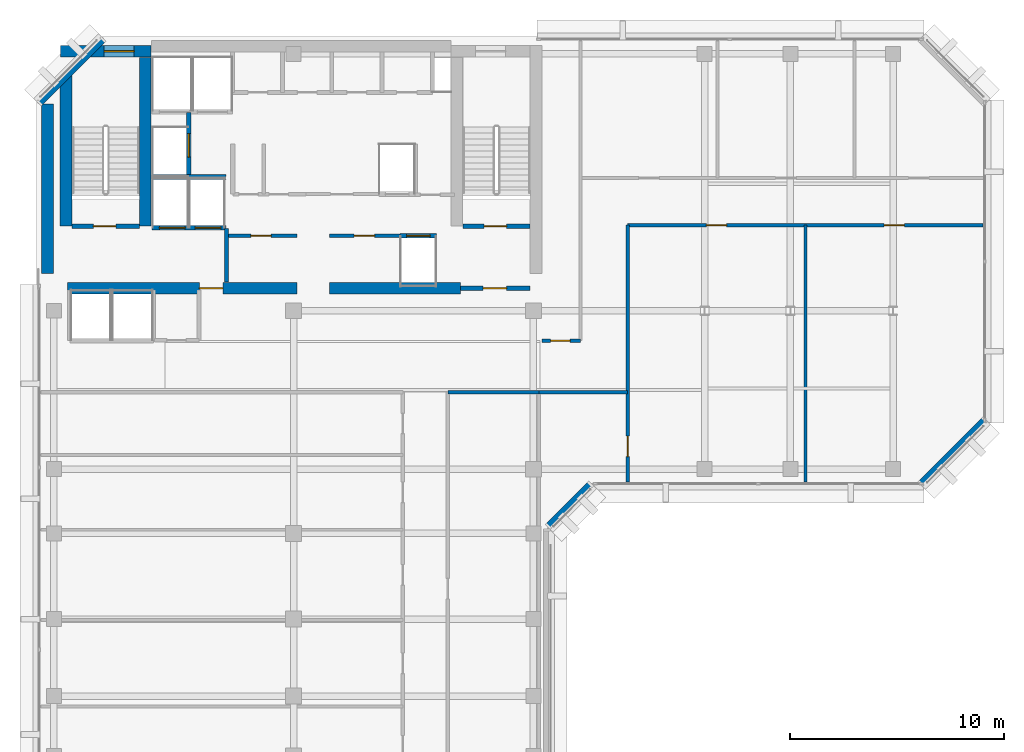
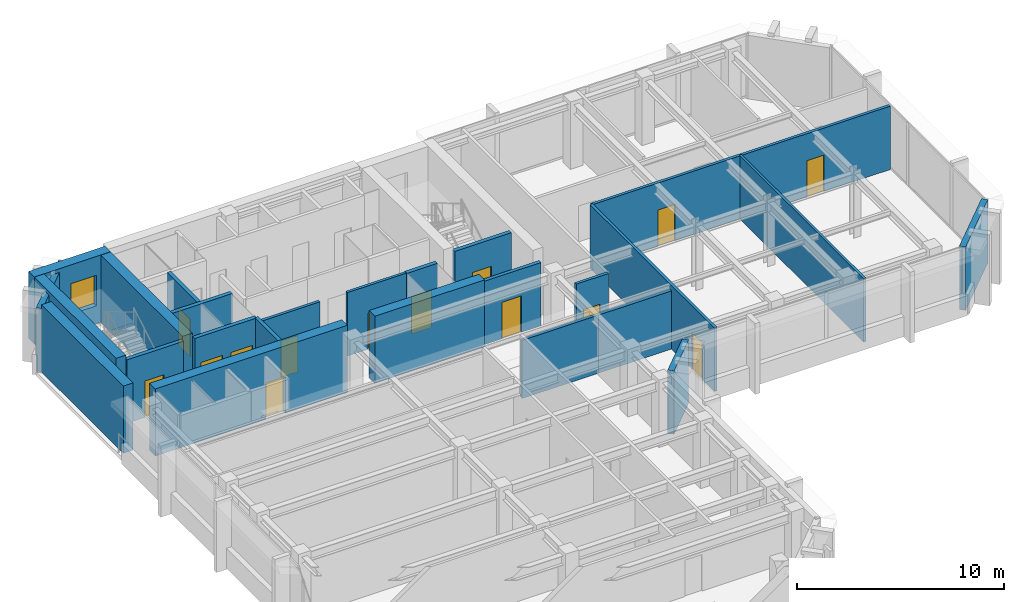
# One storey, part 7 of 13: 25 walls, 14 doors, 1 window, 15 openings.
"""IFC4 building model written with IfcOpenShell, lengths in metres."""

from ifc_helpers import new_model, si_unit, direction, frame, frame_2d, origin, place, context, subcontext, project, spatial, rectangle, extrude, material, layer, layer_set, type_object, element, fill, save


model = new_model("IFC4")

# Units and contexts
model_context = context("Model", 3, precision=1e-05, world=origin(), true_north=direction((0.0, 1.0)))
body_context = subcontext(model_context, "Body", "Model", "MODEL_VIEW")
ifc_project = project(units=[si_unit("LENGTHUNIT", "METRE"), si_unit("AREAUNIT", "SQUARE_METRE"), si_unit("VOLUMEUNIT", "CUBIC_METRE"), si_unit("PLANEANGLEUNIT", "RADIAN"), si_unit("MASSUNIT", "GRAM", prefix="KILO")], contexts=[model_context])

# Site, building, storey
site_placement = place(None, origin())
site = spatial("IfcSite", under=ifc_project, at=site_placement, CompositionType="ELEMENT")
building_placement = place(site_placement, origin())
building = spatial("IfcBuilding", under=site, at=building_placement, Name="Kefirva Bronze Tower", CompositionType="ELEMENT")
storey_placement = place(building_placement, frame((0.0, 0.0, 311.85009765625)))
storey = spatial("IfcBuildingStorey", under=building, at=storey_placement, Name="L76", CompositionType="ELEMENT", Elevation=311.85009765625)

# Wall
ifc_material_1 = material(Name="Gypsum acoustic partition")
ifc_layer_1 = layer(ifc_material_1, 0.1298828125, Name="Gypsum acoustic partition")
ifc_layer_set_1 = layer_set([ifc_layer_1], Name="Gypsum acoustic partition")
wall_type_1 = type_object("IfcWallType", Name="Acoustic Office Partition 130mm", PredefinedType="PARTITIONING", material=ifc_layer_set_1)
wall_1_placement = place(storey_placement, frame((35.905029296875, 25.18994140625, 0.0), z_axis=(0.0, 0.0, 1.0), x_axis=(0.0, 1.0, 0.0)))
element("IfcWall", 1, at=wall_1_placement, inside=storey, type_object=wall_type_1, Name="L76 Partition W-L76-ESD1", PredefinedType="PARTITIONING", context=body_context, shape_type="SweptSolid", body=[
    extrude(rectangle(XDim=12.010009765625, YDim=0.1298828125, at=frame_2d((6.0048828125, 0.0))), origin(), (0.0, 0.0, 1.0), 3.739990234375),
])

# Wall, opening, door
ifc_layer_2 = layer(ifc_material_1, 0.14990234375, Name="Gypsum acoustic partition")
ifc_layer_set_2 = layer_set([ifc_layer_2], Name="Gypsum acoustic partition")
wall_type_2 = type_object("IfcWallType", Name="Executive Suite Partition 150mm", PredefinedType="PARTITIONING", material=ifc_layer_set_2)
wall_2_placement = place(storey_placement, frame((13.679931640625, 36.699951171875, 0.0), z_axis=(0.0, 0.0, 1.0), x_axis=(1.0, 0.0, 0.0)))
wall_2 = element("IfcWall", 2, at=wall_2_placement, inside=storey, type_object=wall_type_2, Name="L76 Partition W-L76-RECMP1", PredefinedType="PARTITIONING", context=body_context, shape_type="SweptSolid", body=[
    extrude(rectangle(XDim=3.280029296875, YDim=0.14990234375, at=frame_2d((1.64013671875, 0.0))), origin(), (0.0, 0.0, 1.0), 3.739990234375),
])
opening_1_placement = place(wall_2_placement, frame((1.14990234375, 0.0, 0.0)))
opening_1 = element("IfcOpeningElement", 3, at=opening_1_placement, cuts=wall_2, Name="Opening L76-D-RECMP1", PredefinedType="OPENING", context=body_context, shape_type="SweptSolid", body=[
    extrude(rectangle(XDim=0.949951171875, YDim=2.14990234375, at=frame_2d((0.47509765625, 1.074951171875))), frame((0.0, 0.0849609375, 0.0), z_axis=(0.0, -1.0, 0.0), x_axis=(1.0, 0.0, 0.0)), (0.0, 0.0, 1.0), 0.169921875),
])
ifc_material_2 = material(Name="Acoustic hardwood oak", Category="wood")
door_type_1 = type_object("IfcDoorType", Name="Office & Meeting Room Door 950x2150", OperationType="NOTDEFINED", PredefinedType="DOOR", material=ifc_material_2)
door_1_placement = place(opening_1_placement, origin())
door_1 = element("IfcDoor", 4, at=door_1_placement, inside=storey, type_object=door_type_1, Name="Door L76-D-RECMP1", OperationType="SINGLE_SWING_LEFT", OverallHeight=2.14990234375, OverallWidth=0.949951171875, PredefinedType="DOOR", context=body_context, shape_type="SweptSolid", body=[
    extrude(rectangle(XDim=0.949951171875, YDim=2.14990234375, at=frame_2d((0.47509765625, 1.074951171875))), frame((0.0, 0.02490234375, 0.0), z_axis=(0.0, -1.0, 0.0), x_axis=(1.0, 0.0, 0.0)), (0.0, 0.0, 1.0), 0.050048828125),
])
fill(opening_1, door_1)

ifc_material_3 = material(Name="Gypsum fireboard shaftwall")
ifc_layer_3 = layer(ifc_material_3, 0.219970703125, Name="Gypsum fireboard shaftwall")
ifc_layer_set_3 = layer_set([ifc_layer_3], Name="Gypsum fireboard shaftwall")
wall_type_3 = type_object("IfcWallType", Name="Fire-Rated Shaft Enclosure Wall 220mm", PredefinedType="PARTITIONING", material=ifc_layer_set_3)
wall_3_placement = place(storey_placement, frame((1.64990234375, 37.14990234375, 0.0), z_axis=(0.0, 0.0, 1.0), x_axis=(1.0, 0.0, 0.0)))
wall_3 = element("IfcWall", 5, at=wall_3_placement, inside=storey, type_object=wall_type_3, Name="L76 Partition W-L76-ST1S", PredefinedType="PARTITIONING", context=body_context, shape_type="SweptSolid", body=[
    extrude(rectangle(XDim=3.150146484375, YDim=0.219970703125, at=frame_2d((1.5751953125, 0.0))), origin(), (0.0, 0.0, 1.0), 3.739990234375),
])
opening_2_placement = place(wall_3_placement, frame((2.050048828125, 0.0, 0.0), z_axis=(0.0, 0.0, 1.0), x_axis=(-1.0, 0.0, 0.0)))
opening_2 = element("IfcOpeningElement", 6, at=opening_2_placement, cuts=wall_3, Name="Opening L76-D001", PredefinedType="OPENING", context=body_context, shape_type="SweptSolid", body=[
    extrude(rectangle(XDim=1.050048828125, YDim=2.14990234375, at=frame_2d((0.52490234375, 1.074951171875))), frame((0.0, 0.1201171875, 0.0), z_axis=(0.0, -1.0, 0.0), x_axis=(1.0, 0.0, 0.0)), (0.0, 0.0, 1.0), 0.239990234375),
])
ifc_material_4 = material(Name="Painted galvanized steel", Category="steel")
door_type_2 = type_object("IfcDoorType", Name="Fire Stair Enclosure Door 1050x2150 FD90S", OperationType="NOTDEFINED", PredefinedType="DOOR", material=ifc_material_4)
door_2_placement = place(opening_2_placement, origin())
door_2 = element("IfcDoor", 7, at=door_2_placement, inside=storey, type_object=door_type_2, Name="Door L76-D001", OperationType="SINGLE_SWING_RIGHT", OverallHeight=2.14990234375, OverallWidth=1.050048828125, PredefinedType="DOOR", context=body_context, shape_type="SweptSolid", body=[
    extrude(rectangle(XDim=1.050048828125, YDim=2.14990234375, at=frame_2d((0.52490234375, 1.074951171875))), frame((0.0, 0.02490234375, 0.0), z_axis=(0.0, -1.0, 0.0), x_axis=(1.0, 0.0, 0.0)), (0.0, 0.0, 1.0), 0.050048828125),
])
fill(opening_2, door_2)

wall_4_placement = place(storey_placement, frame((19.89990234375, 37.14990234375, 0.0), z_axis=(0.0, 0.0, 1.0), x_axis=(1.0, 0.0, 0.0)))
wall_4 = element("IfcWall", 8, at=wall_4_placement, inside=storey, type_object=wall_type_3, Name="L76 Partition W-L76-ST2S", PredefinedType="PARTITIONING", context=body_context, shape_type="SweptSolid", body=[
    extrude(rectangle(XDim=3.150146484375, YDim=0.219970703125, at=frame_2d((1.5751953125, 0.0))), origin(), (0.0, 0.0, 1.0), 3.739990234375),
])
opening_3_placement = place(wall_4_placement, frame((2.050048828125, 0.0, 0.0), z_axis=(0.0, 0.0, 1.0), x_axis=(-1.0, 0.0, 0.0)))
opening_3 = element("IfcOpeningElement", 9, at=opening_3_placement, cuts=wall_4, Name="Opening L76-D003", PredefinedType="OPENING", context=body_context, shape_type="SweptSolid", body=[
    extrude(rectangle(XDim=1.050048828125, YDim=2.14990234375, at=frame_2d((0.52490234375, 1.074951171875))), frame((0.0, 0.1201171875, 0.0), z_axis=(0.0, -1.0, 0.0), x_axis=(1.0, 0.0, 0.0)), (0.0, 0.0, 1.0), 0.239990234375),
])
door_3_placement = place(opening_3_placement, origin())
door_3 = element("IfcDoor", 10, at=door_3_placement, inside=storey, type_object=door_type_2, Name="Door L76-D003", OperationType="SINGLE_SWING_RIGHT", OverallHeight=2.14990234375, OverallWidth=1.050048828125, PredefinedType="DOOR", context=body_context, shape_type="SweptSolid", body=[
    extrude(rectangle(XDim=1.050048828125, YDim=2.14990234375, at=frame_2d((0.52490234375, 1.074951171875))), frame((0.0, 0.02490234375, 0.0), z_axis=(0.0, -1.0, 0.0), x_axis=(1.0, 0.0, 0.0)), (0.0, 0.0, 1.0), 0.050048828125),
])
fill(opening_3, door_3)

# Wall, openings, doors
wall_5_placement = place(storey_placement, frame((5.3798828125, 37.080078125, 0.0), z_axis=(0.0, 0.0, 1.0), x_axis=(1.0, 0.0, 0.0)))
wall_5 = element("IfcWall", 11, at=wall_5_placement, inside=storey, type_object=wall_type_3, Name="L76 Partition W-L76-FFS", PredefinedType="PARTITIONING", context=body_context, shape_type="SweptSolid", body=[
    extrude(rectangle(XDim=3.460205078125, YDim=0.219970703125, at=frame_2d((1.72998046875, 0.0))), origin(), (0.0, 0.0, 1.0), 3.739990234375),
])
opening_4_placement = place(wall_5_placement, frame((1.550048828125, 0.0, 0.0), z_axis=(0.0, 0.0, 1.0), x_axis=(-1.0, 0.0, 0.0)))
opening_4 = element("IfcOpeningElement", 12, at=opening_4_placement, cuts=wall_5, Name="Opening L76-LD-FF1", PredefinedType="OPENING", context=body_context, shape_type="SweptSolid", body=[
    extrude(rectangle(XDim=1.199951171875, YDim=2.199951171875, at=frame_2d((0.60009765625, 1.10009765625))), frame((0.0, 0.1201171875, 0.0), z_axis=(0.0, -1.0, 0.0), x_axis=(1.0, 0.0, 0.0)), (0.0, 0.0, 1.0), 0.239990234375),
])
opening_5_placement = place(wall_5_placement, frame((3.219970703125, 0.0, 0.0), z_axis=(0.0, 0.0, 1.0), x_axis=(-1.0, 0.0, 0.0)))
opening_5 = element("IfcOpeningElement", 13, at=opening_5_placement, cuts=wall_5, Name="Opening L76-LD-FF2", PredefinedType="OPENING", context=body_context, shape_type="SweptSolid", body=[
    extrude(rectangle(XDim=1.199951171875, YDim=2.199951171875, at=frame_2d((0.60009765625, 1.10009765625))), frame((0.0, 0.1201171875, 0.0), z_axis=(0.0, -1.0, 0.0), x_axis=(1.0, 0.0, 0.0)), (0.0, 0.0, 1.0), 0.239990234375),
])
ifc_material_5 = material(Name="Stainless steel 316", Category="steel")
door_type_3 = type_object("IfcDoorType", Name="Firefighting Lift Sliding Door 1200x2200", OperationType="SLIDING_TO_RIGHT", PredefinedType="DOOR", material=ifc_material_5)
door_4_placement = place(opening_4_placement, origin())
door_4 = element("IfcDoor", 14, at=door_4_placement, inside=storey, type_object=door_type_3, Name="Door L76-LD-FF1", OperationType="SLIDING_TO_RIGHT", OverallHeight=2.199951171875, OverallWidth=1.199951171875, PredefinedType="DOOR", context=body_context, shape_type="SweptSolid", body=[
    extrude(rectangle(XDim=1.199951171875, YDim=2.199951171875, at=frame_2d((0.60009765625, 1.10009765625))), frame((0.0, 0.02490234375, 0.0), z_axis=(0.0, -1.0, 0.0), x_axis=(1.0, 0.0, 0.0)), (0.0, 0.0, 1.0), 0.050048828125),
])
fill(opening_4, door_4)
door_5_placement = place(opening_5_placement, origin())
door_5 = element("IfcDoor", 15, at=door_5_placement, inside=storey, type_object=door_type_3, Name="Door L76-LD-FF2", OperationType="SLIDING_TO_RIGHT", OverallHeight=2.199951171875, OverallWidth=1.199951171875, PredefinedType="DOOR", context=body_context, shape_type="SweptSolid", body=[
    extrude(rectangle(XDim=1.199951171875, YDim=2.199951171875, at=frame_2d((0.60009765625, 1.10009765625))), frame((0.0, 0.02490234375, 0.0), z_axis=(0.0, -1.0, 0.0), x_axis=(1.0, 0.0, 0.0)), (0.0, 0.0, 1.0), 0.050048828125),
])
fill(opening_5, door_5)

# Wall
wall_6_placement = place(storey_placement, frame((5.3798828125, 39.449951171875, 0.0), z_axis=(0.0, 0.0, 1.0), x_axis=(1.0, 0.0, 0.0)))
element("IfcWall", 16, at=wall_6_placement, inside=storey, type_object=wall_type_3, Name="L76 Partition W-L76-FFN", PredefinedType="PARTITIONING", context=body_context, shape_type="SweptSolid", body=[
    extrude(rectangle(XDim=3.460205078125, YDim=0.219970703125, at=frame_2d((1.72998046875, 0.0))), origin(), (0.0, 0.0, 1.0), 3.739990234375),
])

# Wall, opening, door
wall_7_placement = place(storey_placement, frame((7.10009765625, 39.52001953125, 0.0), z_axis=(0.0, 0.0, 1.0), x_axis=(0.0, 1.0, 0.0)))
wall_7 = element("IfcWall", 17, at=wall_7_placement, inside=storey, type_object=wall_type_3, Name="L76 Partition W-L76-HP3E", PredefinedType="PARTITIONING", context=body_context, shape_type="SweptSolid", body=[
    extrude(rectangle(XDim=2.929931640625, YDim=0.219970703125, at=frame_2d((1.46484375, 0.0))), origin(), (0.0, 0.0, 1.0), 3.739990234375),
])
opening_6_placement = place(wall_7_placement, frame((0.85009765625, 0.0, 0.0)))
opening_6 = element("IfcOpeningElement", 18, at=opening_6_placement, cuts=wall_7, Name="Opening L76-LD-HP3", PredefinedType="OPENING", context=body_context, shape_type="SweptSolid", body=[
    extrude(rectangle(XDim=1.10009765625, YDim=2.199951171875, at=frame_2d((0.550048828125, 1.10009765625))), frame((0.0, 0.1201171875, 0.0), z_axis=(0.0, -1.0, 0.0), x_axis=(1.0, 0.0, 0.0)), (0.0, 0.0, 1.0), 0.239990234375),
])
door_type_4 = type_object("IfcDoorType", Name="Passenger Lift Sliding Landing Door 1100x2200", OperationType="SLIDING_TO_LEFT", PredefinedType="DOOR", material=ifc_material_5)
door_6_placement = place(opening_6_placement, origin())
door_6 = element("IfcDoor", 19, at=door_6_placement, inside=storey, type_object=door_type_4, Name="Door L76-LD-HP3", OperationType="SLIDING_TO_LEFT", OverallHeight=2.199951171875, OverallWidth=1.10009765625, PredefinedType="DOOR", context=body_context, shape_type="SweptSolid", body=[
    extrude(rectangle(XDim=1.10009765625, YDim=2.199951171875, at=frame_2d((0.550048828125, 1.10009765625))), frame((0.0, 0.02490234375, 0.0), z_axis=(0.0, -1.0, 0.0), x_axis=(1.0, 0.0, 0.0)), (0.0, 0.0, 1.0), 0.050048828125),
])
fill(opening_6, door_6)

wall_8_placement = place(storey_placement, frame((16.97998046875, 36.699951171875, 0.0), z_axis=(0.0, 0.0, 1.0), x_axis=(1.0, 0.0, 0.0)))
wall_8 = element("IfcWall", 20, at=wall_8_placement, inside=storey, type_object=wall_type_3, Name="L76 Partition W-L76-HPS", PredefinedType="PARTITIONING", context=body_context, shape_type="SweptSolid", body=[
    extrude(rectangle(XDim=1.699951171875, YDim=0.219970703125, at=frame_2d((0.85009765625, 0.0))), origin(), (0.0, 0.0, 1.0), 3.739990234375),
])
opening_7_placement = place(wall_8_placement, frame((0.300048828125, 0.0, 0.0)))
opening_7 = element("IfcOpeningElement", 21, at=opening_7_placement, cuts=wall_8, Name="Opening L76-LD-HP1", PredefinedType="OPENING", context=body_context, shape_type="SweptSolid", body=[
    extrude(rectangle(XDim=1.10009765625, YDim=2.199951171875, at=frame_2d((0.550048828125, 1.10009765625))), frame((0.0, 0.1201171875, 0.0), z_axis=(0.0, -1.0, 0.0), x_axis=(1.0, 0.0, 0.0)), (0.0, 0.0, 1.0), 0.239990234375),
])
door_7_placement = place(opening_7_placement, origin())
door_7 = element("IfcDoor", 22, at=door_7_placement, inside=storey, type_object=door_type_4, Name="Door L76-LD-HP1", OperationType="SLIDING_TO_LEFT", OverallHeight=2.199951171875, OverallWidth=1.10009765625, PredefinedType="DOOR", context=body_context, shape_type="SweptSolid", body=[
    extrude(rectangle(XDim=1.10009765625, YDim=2.199951171875, at=frame_2d((0.550048828125, 1.10009765625))), frame((0.0, 0.02490234375, 0.0), z_axis=(0.0, -1.0, 0.0), x_axis=(1.0, 0.0, 0.0)), (0.0, 0.0, 1.0), 0.050048828125),
])
fill(opening_7, door_7)

# Wall
ifc_material_6 = material(Name="Gypsum fireboard barrier")
ifc_layer_4 = layer(ifc_material_6, 0.199951171875, Name="Gypsum fireboard barrier")
ifc_layer_set_4 = layer_set([ifc_layer_4], Name="Gypsum fireboard barrier")
wall_type_4 = type_object("IfcWallType", Name="Firefighting Lobby Barrier Wall 200mm", PredefinedType="PARTITIONING", material=ifc_layer_set_4)
wall_9_placement = place(storey_placement, frame((8.860107421875, 34.550048828125, 0.0), z_axis=(0.0, 0.0, 1.0), x_axis=(0.0, 1.0, 0.0)))
element("IfcWall", 23, at=wall_9_placement, inside=storey, type_object=wall_type_4, Name="L76 Partition W-L76-FFLE", PredefinedType="PARTITIONING", context=body_context, shape_type="SweptSolid", body=[
    extrude(rectangle(XDim=2.5, YDim=0.199951171875, at=frame_2d((1.25, 0.0))), origin(), (0.0, 0.0, 1.0), 3.739990234375),
])

# Wall, opening, door
wall_10_placement = place(storey_placement, frame((19.800048828125, 34.25, 0.0), z_axis=(0.0, 0.0, 1.0), x_axis=(1.0, 0.0, 0.0)))
wall_10 = element("IfcWall", 24, at=wall_10_placement, inside=storey, type_object=wall_type_4, Name="L76 Partition W-L76-ST2F", PredefinedType="PARTITIONING", context=body_context, shape_type="SweptSolid", body=[
    extrude(rectangle(XDim=3.25, YDim=0.199951171875, at=frame_2d((1.625, 0.0))), origin(), (0.0, 0.0, 1.0), 3.739990234375),
])
opening_8_placement = place(wall_10_placement, frame((2.150146484375, 0.0, 0.0), z_axis=(0.0, 0.0, 1.0), x_axis=(-1.0, 0.0, 0.0)))
opening_8 = element("IfcOpeningElement", 25, at=opening_8_placement, cuts=wall_10, Name="Opening L76-D004", PredefinedType="OPENING", context=body_context, shape_type="SweptSolid", body=[
    extrude(rectangle(XDim=1.10009765625, YDim=2.14990234375, at=frame_2d((0.550048828125, 1.074951171875))), frame((0.0, 0.10986328125, 0.0), z_axis=(0.0, -1.0, 0.0), x_axis=(1.0, 0.0, 0.0)), (0.0, 0.0, 1.0), 0.219970703125),
])
door_type_5 = type_object("IfcDoorType", Name="Firefighting Lobby Smoke Door 1100x2150 FD60S", OperationType="NOTDEFINED", PredefinedType="DOOR", material=ifc_material_4)
door_8_placement = place(opening_8_placement, origin())
door_8 = element("IfcDoor", 26, at=door_8_placement, inside=storey, type_object=door_type_5, Name="Door L76-D004", OperationType="SINGLE_SWING_LEFT", OverallHeight=2.14990234375, OverallWidth=1.10009765625, PredefinedType="DOOR", context=body_context, shape_type="SweptSolid", body=[
    extrude(rectangle(XDim=1.10009765625, YDim=2.14990234375, at=frame_2d((0.550048828125, 1.074951171875))), frame((0.0, 0.02490234375, 0.0), z_axis=(0.0, -1.0, 0.0), x_axis=(1.0, 0.0, 0.0)), (0.0, 0.0, 1.0), 0.050048828125),
])
fill(opening_8, door_8)

# Walls
ifc_material_7 = material(Name="Precast concrete C40/50", Category="concrete")
ifc_layer_5 = layer(ifc_material_7, 0.320068359375, Name="Precast concrete C40/50")
ifc_layer_set_5 = layer_set([ifc_layer_5], Name="Precast concrete C40/50")
wall_type_5 = type_object("IfcWallType", Name="Precast Insulated Exterior Wall 320mm", PredefinedType="SOLIDWALL", material=ifc_layer_set_5)
wall_11_placement = place(storey_placement, frame((23.92578125, 23.152099609375, 0.0), z_axis=(0.0, 0.0, 1.0), x_axis=(0.707106781187, 0.707106781187, 0.0)))
element("IfcWall", 27, at=wall_11_placement, inside=storey, type_object=wall_type_5, Name="L76 Exterior Facade Wall 6", PredefinedType="SOLIDWALL", context=body_context, shape_type="SweptSolid", body=[
    extrude(rectangle(XDim=2.71826171875, YDim=0.320068359375, at=frame_2d((1.359130859375, 0.0))), origin(), (0.0, 0.0, 1.0), 3.739990234375),
])
for number, where, z_axis, x_axis, name in (
    (28, (41.32568359375, 25.152099609375, 0.0), (0.0, 0.0, 1.0), (0.707136318428, 0.707077242712, 0.0), "L76 Exterior Facade Wall 7"),
    (29, (3.07421875, 45.847900390625, 0.0), (0.0, 0.0, 1.0), (-0.707106781187, -0.707106781187, 0.0), "L76 Exterior Facade Wall 9"),
):
    element("IfcWall", number, at=place(storey_placement, frame(where, z_axis=z_axis, x_axis=x_axis)), inside=storey, type_object=wall_type_5, Name=name, PredefinedType="SOLIDWALL", context=body_context, shape_type="SweptSolid", body=[
        extrude(rectangle(XDim=4.132568359375, YDim=0.320068359375, at=frame_2d((2.06640625, 0.0))), origin(), (0.0, 0.0, 1.0), 3.739990234375),
    ])

# Wall, opening, door
ifc_layer_6 = layer(ifc_material_1, 0.159912109375, Name="Gypsum acoustic partition")
ifc_layer_set_6 = layer_set([ifc_layer_6], Name="Gypsum acoustic partition")
wall_type_6 = type_object("IfcWallType", Name="Protected Corridor Partition 160mm", PredefinedType="PARTITIONING", material=ifc_layer_set_6)
wall_12_placement = place(storey_placement, frame((8.89990234375, 36.699951171875, 0.0), z_axis=(0.0, 0.0, 1.0), x_axis=(1.0, 0.0, 0.0)))
wall_12 = element("IfcWall", 30, at=wall_12_placement, inside=storey, type_object=wall_type_6, Name="L76 Partition W-L76-RECLP1", PredefinedType="PARTITIONING", context=body_context, shape_type="SweptSolid", body=[
    extrude(rectangle(XDim=3.25, YDim=0.159912109375, at=frame_2d((1.625, 0.0))), origin(), (0.0, 0.0, 1.0), 3.739990234375),
])
opening_9_placement = place(wall_12_placement, frame((1.10009765625, 0.0, 0.0)))
opening_9 = element("IfcOpeningElement", 31, at=opening_9_placement, cuts=wall_12, Name="Opening L76-D-RECLP1", PredefinedType="OPENING", context=body_context, shape_type="SweptSolid", body=[
    extrude(rectangle(XDim=0.949951171875, YDim=2.14990234375, at=frame_2d((0.47509765625, 1.074951171875))), frame((0.0, 0.08984375, 0.0), z_axis=(0.0, -1.0, 0.0), x_axis=(1.0, 0.0, 0.0)), (0.0, 0.0, 1.0), 0.179931640625),
])
door_9_placement = place(opening_9_placement, origin())
door_9 = element("IfcDoor", 32, at=door_9_placement, inside=storey, type_object=door_type_1, Name="Door L76-D-RECLP1", OperationType="SINGLE_SWING_RIGHT", OverallHeight=2.14990234375, OverallWidth=0.949951171875, PredefinedType="DOOR", context=body_context, shape_type="SweptSolid", body=[
    extrude(rectangle(XDim=0.949951171875, YDim=2.14990234375, at=frame_2d((0.47509765625, 1.074951171875))), frame((0.0, 0.02490234375, 0.0), z_axis=(0.0, -1.0, 0.0), x_axis=(1.0, 0.0, 0.0)), (0.0, 0.0, 1.0), 0.050048828125),
])
fill(opening_9, door_9)

# Wall
wall_13_placement = place(storey_placement, frame((19.199951171875, 29.39990234375, 0.0), z_axis=(0.0, 0.0, 1.0), x_axis=(1.0, 0.0, 0.0)))
element("IfcWall", 33, at=wall_13_placement, inside=storey, type_object=wall_type_6, Name="L76 Partition W-L76-NET", PredefinedType="PARTITIONING", context=body_context, shape_type="SweptSolid", body=[
    extrude(rectangle(XDim=4.25, YDim=0.159912109375, at=frame_2d((2.125, 0.0))), origin(), (0.0, 0.0, 1.0), 3.4248046875),
])

# Wall, opening, door
wall_14_placement = place(storey_placement, frame((27.60009765625, 25.18994140625, 0.0), z_axis=(0.0, 0.0, 1.0), x_axis=(0.0, 1.0, 0.0)))
wall_14 = element("IfcWall", 34, at=wall_14_placement, inside=storey, type_object=wall_type_6, Name="L76 Partition W-L76-ELKE", PredefinedType="PARTITIONING", context=body_context, shape_type="SweptSolid", body=[
    extrude(rectangle(XDim=12.010009765625, YDim=0.159912109375, at=frame_2d((6.0048828125, 0.0))), origin(), (0.0, 0.0, 1.0), 3.739990234375),
])
opening_10_placement = place(wall_14_placement, frame((2.14990234375, 0.0, 0.0), z_axis=(0.0, 0.0, 1.0), x_axis=(-1.0, 0.0, 0.0)))
opening_10 = element("IfcOpeningElement", 35, at=opening_10_placement, cuts=wall_14, Name="Opening L76-D-ESW", PredefinedType="OPENING", context=body_context, shape_type="SweptSolid", body=[
    extrude(rectangle(XDim=0.949951171875, YDim=2.14990234375, at=frame_2d((0.47509765625, 1.074951171875))), frame((0.0, 0.08984375, 0.0), z_axis=(0.0, -1.0, 0.0), x_axis=(1.0, 0.0, 0.0)), (0.0, 0.0, 1.0), 0.179931640625),
])
door_10_placement = place(opening_10_placement, origin())
door_10 = element("IfcDoor", 36, at=door_10_placement, inside=storey, type_object=door_type_1, Name="Door L76-D-ESW", OperationType="SINGLE_SWING_LEFT", OverallHeight=2.14990234375, OverallWidth=0.949951171875, PredefinedType="DOOR", context=body_context, shape_type="SweptSolid", body=[
    extrude(rectangle(XDim=0.949951171875, YDim=2.14990234375, at=frame_2d((0.47509765625, 1.074951171875))), frame((0.0, 0.02490234375, 0.0), z_axis=(0.0, -1.0, 0.0), x_axis=(1.0, 0.0, 0.0)), (0.0, 0.0, 1.0), 0.050048828125),
])
fill(opening_10, door_10)

# Wall
wall_15_placement = place(storey_placement, frame((23.449951171875, 29.39990234375, 0.0), z_axis=(0.0, 0.0, 1.0), x_axis=(1.0, 0.0, 0.0)))
element("IfcWall", 37, at=wall_15_placement, inside=storey, type_object=wall_type_6, Name="L76 Partition W-L76-ECS0", PredefinedType="PARTITIONING", context=body_context, shape_type="SweptSolid", body=[
    extrude(rectangle(XDim=4.150146484375, YDim=0.159912109375, at=frame_2d((2.0751953125, 0.0))), origin(), (0.0, 0.0, 1.0), 3.4248046875),
])

# Wall, openings, doors
wall_16_placement = place(storey_placement, frame((27.60009765625, 37.199951171875, 0.0), z_axis=(0.0, 0.0, 1.0), x_axis=(1.0, 0.0, 0.0)))
wall_16 = element("IfcWall", 38, at=wall_16_placement, inside=storey, type_object=wall_type_6, Name="L76 Partition W-L76-ECS", PredefinedType="PARTITIONING", context=body_context, shape_type="SweptSolid", body=[
    extrude(rectangle(XDim=16.60986328125, YDim=0.159912109375, at=frame_2d((8.304931640625, 0.0))), origin(), (0.0, 0.0, 1.0), 3.739990234375),
])
opening_11_placement = place(wall_16_placement, frame((4.62744140625, 0.0, 0.0), z_axis=(0.0, 0.0, 1.0), x_axis=(-1.0, 0.0, 0.0)))
opening_11 = element("IfcOpeningElement", 39, at=opening_11_placement, cuts=wall_16, Name="Opening L76-D-ES1", PredefinedType="OPENING", context=body_context, shape_type="SweptSolid", body=[
    extrude(rectangle(XDim=0.949951171875, YDim=2.14990234375, at=frame_2d((0.47509765625, 1.074951171875))), frame((0.0, 0.08984375, 0.0), z_axis=(0.0, -1.0, 0.0), x_axis=(1.0, 0.0, 0.0)), (0.0, 0.0, 1.0), 0.179931640625),
])
opening_12_placement = place(wall_16_placement, frame((12.932373046875, 0.0, 0.0), z_axis=(0.0, 0.0, 1.0), x_axis=(-1.0, 0.0, 0.0)))
opening_12 = element("IfcOpeningElement", 40, at=opening_12_placement, cuts=wall_16, Name="Opening L76-D-ES2", PredefinedType="OPENING", context=body_context, shape_type="SweptSolid", body=[
    extrude(rectangle(XDim=0.949951171875, YDim=2.14990234375, at=frame_2d((0.47509765625, 1.074951171875))), frame((0.0, 0.08984375, 0.0), z_axis=(0.0, -1.0, 0.0), x_axis=(1.0, 0.0, 0.0)), (0.0, 0.0, 1.0), 0.179931640625),
])
door_11_placement = place(opening_11_placement, origin())
door_11 = element("IfcDoor", 41, at=door_11_placement, inside=storey, type_object=door_type_1, Name="Door L76-D-ES1", OperationType="SINGLE_SWING_RIGHT", OverallHeight=2.14990234375, OverallWidth=0.949951171875, PredefinedType="DOOR", context=body_context, shape_type="SweptSolid", body=[
    extrude(rectangle(XDim=0.949951171875, YDim=2.14990234375, at=frame_2d((0.47509765625, 1.074951171875))), frame((0.0, 0.02490234375, 0.0), z_axis=(0.0, -1.0, 0.0), x_axis=(1.0, 0.0, 0.0)), (0.0, 0.0, 1.0), 0.050048828125),
])
fill(opening_11, door_11)
door_12_placement = place(opening_12_placement, origin())
door_12 = element("IfcDoor", 42, at=door_12_placement, inside=storey, type_object=door_type_1, Name="Door L76-D-ES2", OperationType="SINGLE_SWING_LEFT", OverallHeight=2.14990234375, OverallWidth=0.949951171875, PredefinedType="DOOR", context=body_context, shape_type="SweptSolid", body=[
    extrude(rectangle(XDim=0.949951171875, YDim=2.14990234375, at=frame_2d((0.47509765625, 1.074951171875))), frame((0.0, 0.02490234375, 0.0), z_axis=(0.0, -1.0, 0.0), x_axis=(1.0, 0.0, 0.0)), (0.0, 0.0, 1.0), 0.050048828125),
])
fill(opening_12, door_12)

# Wall, opening, door
wall_17_placement = place(storey_placement, frame((23.60009765625, 31.800048828125, 0.0), z_axis=(0.0, 0.0, 1.0), x_axis=(1.0, 0.0, 0.0)))
wall_17 = element("IfcWall", 43, at=wall_17_placement, inside=storey, type_object=wall_type_6, Name="L76 Partition W-L76-EPKS", PredefinedType="PARTITIONING", context=body_context, shape_type="SweptSolid", body=[
    extrude(rectangle(XDim=1.7998046875, YDim=0.159912109375, at=frame_2d((0.89990234375, 0.0))), origin(), (0.0, 0.0, 1.0), 3.739990234375),
])
opening_13_placement = place(wall_17_placement, frame((0.39990234375, 0.0, 0.0)))
opening_13 = element("IfcOpeningElement", 44, at=opening_13_placement, cuts=wall_17, Name="Opening L76-D-EPK", PredefinedType="OPENING", context=body_context, shape_type="SweptSolid", body=[
    extrude(rectangle(XDim=0.919921875, YDim=2.10009765625, at=frame_2d((0.4599609375, 1.050048828125))), frame((0.0, 0.08984375, 0.0), z_axis=(0.0, -1.0, 0.0), x_axis=(1.0, 0.0, 0.0)), (0.0, 0.0, 1.0), 0.179931640625),
])
ifc_material_8 = material(Name="Moisture-resistant timber", Category="wood")
door_type_6 = type_object("IfcDoorType", Name="Accessible Sanitary & WC Door 920x2100", OperationType="NOTDEFINED", PredefinedType="DOOR", material=ifc_material_8)
door_13_placement = place(opening_13_placement, origin())
door_13 = element("IfcDoor", 45, at=door_13_placement, inside=storey, type_object=door_type_6, Name="Door L76-D-EPK", OperationType="SINGLE_SWING_RIGHT", OverallHeight=2.10009765625, OverallWidth=0.919921875, PredefinedType="DOOR", context=body_context, shape_type="SweptSolid", body=[
    extrude(rectangle(XDim=0.919921875, YDim=2.10009765625, at=frame_2d((0.4599609375, 1.050048828125))), frame((0.0, 0.02490234375, 0.0), z_axis=(0.0, -1.0, 0.0), x_axis=(1.0, 0.0, 0.0)), (0.0, 0.0, 1.0), 0.050048828125),
])
fill(opening_13, door_13)

# Wall
ifc_material_9 = material(Name="Concrete C50/60", Category="concrete")
ifc_layer_7 = layer(ifc_material_9, 0.550048828125, Name="Concrete C50/60")
ifc_layer_set_7 = layer_set([ifc_layer_7], Name="Concrete C50/60")
wall_type_7 = type_object("IfcWallType", Name="RC Rear Core Exterior Wall 550mm", PredefinedType="SHEAR", material=ifc_layer_set_7)
wall_18_placement = place(storey_placement, frame((0.5, 34.949951171875, 0.0), z_axis=(0.0, 0.0, 1.0), x_axis=(0.0, 1.0, 0.0)))
element("IfcWall", 46, at=wall_18_placement, inside=storey, type_object=wall_type_7, Name="L76 Rear Core West Shear Wall", PredefinedType="SHEAR", context=body_context, shape_type="SweptSolid", body=[
    extrude(rectangle(XDim=7.900146484375, YDim=0.550048828125, at=frame_2d((3.9501953125, 0.0))), origin(), (0.0, 0.0, 1.0), 3.9599609375),
])

# Wall, opening, window
wall_19_placement = place(storey_placement, frame((1.10009765625, 45.320068359375, 0.0), z_axis=(0.0, 0.0, 1.0), x_axis=(1.0, 0.0, 0.0)))
wall_19 = element("IfcWall", 47, at=wall_19_placement, inside=storey, type_object=wall_type_7, Name="L76 Stair 1 North Shear Wall", PredefinedType="SHEAR", context=body_context, shape_type="SweptSolid", body=[
    extrude(rectangle(XDim=4.239990234375, YDim=0.550048828125, at=frame_2d((2.1201171875, 0.0))), origin(), (0.0, 0.0, 1.0), 3.9599609375),
])
opening_14_placement = place(wall_19_placement, frame((2.050048828125, 0.0, 1.050048828125)))
opening_14 = element("IfcOpeningElement", 48, at=opening_14_placement, cuts=wall_19, Name="Opening WN-03", PredefinedType="OPENING", context=body_context, shape_type="SweptSolid", body=[
    extrude(rectangle(XDim=1.39990234375, YDim=1.800048828125, at=frame_2d((0.699951171875, 0.89990234375))), frame((0.0, 0.28515625, 0.0), z_axis=(0.0, -1.0, 0.0), x_axis=(1.0, 0.0, 0.0)), (0.0, 0.0, 1.0), 0.570068359375),
])
ifc_material_10 = material(Name="Laminated low-E double glazing", Category="glass")
window_type = type_object("IfcWindowType", Name="Rear-Core Stair Daylight Window 1400x1800", PartitioningType="SINGLE_PANEL", PredefinedType="WINDOW", material=ifc_material_10)
window_placement = place(opening_14_placement, origin())
window = element("IfcWindow", 49, at=window_placement, inside=storey, type_object=window_type, Name="L76 Stair 1 Daylight Window", OverallHeight=1.800048828125, OverallWidth=1.39990234375, PartitioningType="SINGLE_PANEL", PredefinedType="WINDOW", context=body_context, shape_type="SweptSolid", body=[
    extrude(rectangle(XDim=1.39990234375, YDim=1.800048828125, at=frame_2d((0.699951171875, 0.89990234375))), frame((0.0, 0.030029296875, 0.0), z_axis=(0.0, -1.0, 0.0), x_axis=(1.0, 0.0, 0.0)), (0.0, 0.0, 1.0), 0.06005859375),
])
fill(opening_14, window)

# Wall, opening, door
ifc_layer_8 = layer(ifc_material_9, 0.550048828125, Name="Concrete C50/60")
ifc_layer_set_8 = layer_set([ifc_layer_8], Name="Concrete C50/60")
wall_type_8 = type_object("IfcWallType", Name="RC Rear Core Interior Wall 550mm", PredefinedType="SHEAR", material=ifc_layer_set_8)
wall_20_placement = place(storey_placement, frame((1.449951171875, 34.25, 0.0), z_axis=(0.0, 0.0, 1.0), x_axis=(1.0, 0.0, 0.0)))
wall_20 = element("IfcWall", 50, at=wall_20_placement, inside=storey, type_object=wall_type_8, Name="L76 Rear Core South-West Shear Wall", PredefinedType="SHEAR", context=body_context, shape_type="SweptSolid", body=[
    extrude(rectangle(XDim=10.7099609375, YDim=0.550048828125, at=frame_2d((5.35498046875, 0.0))), origin(), (0.0, 0.0, 1.0), 3.9599609375),
])
opening_15_placement = place(wall_20_placement, frame((7.25, 0.0, 0.0), z_axis=(0.0, 0.0, 1.0), x_axis=(-1.0, 0.0, 0.0)))
opening_15 = element("IfcOpeningElement", 51, at=opening_15_placement, cuts=wall_20, Name="Opening L76-D002", PredefinedType="OPENING", context=body_context, shape_type="SweptSolid", body=[
    extrude(rectangle(XDim=1.10009765625, YDim=2.14990234375, at=frame_2d((0.550048828125, 1.074951171875))), frame((0.0, 0.28515625, 0.0), z_axis=(0.0, -1.0, 0.0), x_axis=(1.0, 0.0, 0.0)), (0.0, 0.0, 1.0), 0.570068359375),
])
door_14_placement = place(opening_15_placement, origin())
door_14 = element("IfcDoor", 52, at=door_14_placement, inside=storey, type_object=door_type_5, Name="Door L76-D002", OperationType="SINGLE_SWING_LEFT", OverallHeight=2.14990234375, OverallWidth=1.10009765625, PredefinedType="DOOR", context=body_context, shape_type="SweptSolid", body=[
    extrude(rectangle(XDim=1.10009765625, YDim=2.14990234375, at=frame_2d((0.550048828125, 1.074951171875))), frame((0.0, 0.02490234375, 0.0), z_axis=(0.0, -1.0, 0.0), x_axis=(1.0, 0.0, 0.0)), (0.0, 0.0, 1.0), 0.050048828125),
])
fill(opening_15, door_14)

# Walls
wall_21_placement = place(storey_placement, frame((13.679931640625, 34.25, 0.0), z_axis=(0.0, 0.0, 1.0), x_axis=(1.0, 0.0, 0.0)))
element("IfcWall", 53, at=wall_21_placement, inside=storey, type_object=wall_type_8, Name="L76 Rear Core South-East Shear Wall", PredefinedType="SHEAR", context=body_context, shape_type="SweptSolid", body=[
    extrude(rectangle(XDim=6.1201171875, YDim=0.550048828125, at=frame_2d((3.06005859375, 0.0))), origin(), (0.0, 0.0, 1.0), 3.9599609375),
])
for number, where, z_axis, x_axis, name in (
    (54, (1.3701171875, 37.14990234375, 0.0), (0.0, 0.0, 1.0), (0.0, 1.0, 0.0), "L76 Stair 1 West Shear Wall"),
    (55, (5.070068359375, 37.14990234375, 0.0), (0.0, 0.0, 1.0), (0.0, 1.0, 0.0), "L76 Stair 1 East Shear Wall"),
):
    element("IfcWall", number, at=place(storey_placement, frame(where, z_axis=z_axis, x_axis=x_axis)), inside=storey, type_object=wall_type_8, Name=name, PredefinedType="SHEAR", context=body_context, shape_type="SweptSolid", body=[
        extrude(rectangle(XDim=7.89013671875, YDim=0.550048828125, at=frame_2d((3.945068359375, 0.0))), origin(), (0.0, 0.0, 1.0), 3.9599609375),
    ])

save(model, "model.ifc")
